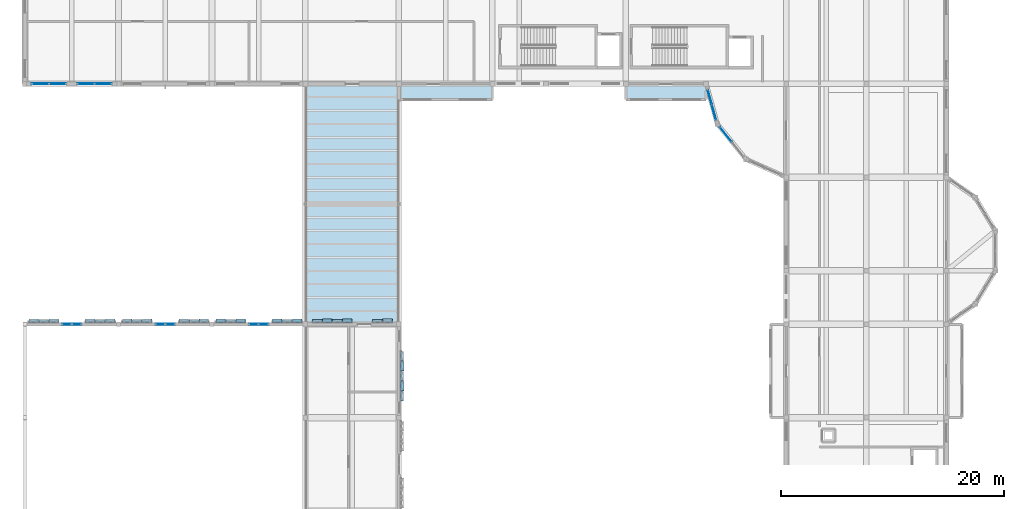
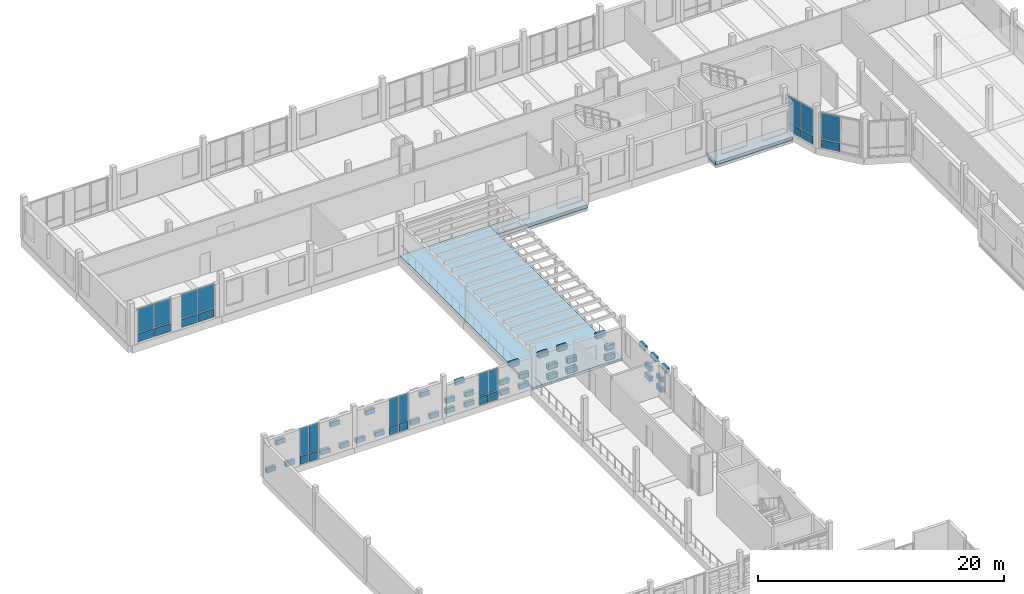
# One storey, part 51 of 99: 64 plates, 3 slabs, 7 elements without a shape of their own.
"""IFC4 building model written with IfcOpenShell, lengths in metres."""

from ifc_helpers import new_model, si_unit, direction, frame, origin, origin_2d, place, context, subcontext, project, spatial, polyline, rectangle, outline, extrude, material, layer, layer_set, type_object, element, aggregate, save


model = new_model("IFC4")

# Units and contexts
model_context = context("Model", 3, precision=1e-05, world=origin(), true_north=direction((0.0, 1.0)))
body_context = subcontext(model_context, "Body", "Model", "MODEL_VIEW")
ifc_project = project(units=[si_unit("LENGTHUNIT", "METRE"), si_unit("AREAUNIT", "SQUARE_METRE"), si_unit("VOLUMEUNIT", "CUBIC_METRE"), si_unit("PLANEANGLEUNIT", "RADIAN"), si_unit("MASSUNIT", "GRAM", prefix="KILO")], contexts=[model_context])

# Site, building, storey
site_placement = place(None, origin())
site = spatial("IfcSite", under=ifc_project, at=site_placement, CompositionType="ELEMENT")
building_placement = place(site_placement, origin())
building = spatial("IfcBuilding", under=site, at=building_placement, Name="Kahlenmark Community Centre", CompositionType="ELEMENT")
storey_placement = place(building_placement, frame((0.0, 0.0, 5.39990234375)))
storey = spatial("IfcBuildingStorey", under=building, at=storey_placement, Name="L01", CompositionType="ELEMENT", Elevation=5.39990234375)

# Curtain wall, plates
ifc_material_1 = material(Name="Anodised aluminium unitised curtain wall", Category="aluminium")
curtain_wall_type_1 = type_object("IfcCurtainWallType", Name="CWT-UNIT-290X352", PredefinedType="USERDEFINED", material=ifc_material_1)
curtain_wall_1_placement = place(storey_placement, origin())
curtain_wall_1 = element("IfcCurtainWall", 1, at=curtain_wall_1_placement, inside=storey, type_object=curtain_wall_type_1, Name="Unitised curtain wall CW-176", ObjectType="UNITISED CURTAIN WALL", PredefinedType="USERDEFINED")
ifc_material_2 = material(Name="Triple low-e solar-control glass unit", Category="glass")
ifc_layer_1 = layer(ifc_material_2, 0.0439453125)
ifc_layer_set_1 = layer_set([ifc_layer_1], Name="Triple low-e solar-control glass unit")
plate_type_1 = type_object("IfcPlateType", Name="PLT-CW-GLZ-1368X2590", PredefinedType="CURTAIN_PANEL", material=ifc_layer_set_1)
plate_1_placement = place(storey_placement, frame((65.527587890625, 96.420654296875, 0.89013671875), z_axis=(0.0, 0.0, 1.0), x_axis=(0.26765376878, -0.963515158188, 0.0)))
plate_1 = element("IfcPlate", 2, at=plate_1_placement, type_object=plate_type_1, Name="CW-176 glazed panel 1", PredefinedType="CURTAIN_PANEL", context=body_context, shape_type="SweptSolid", body=[
    extrude(rectangle(XDim=1.3681640625, YDim=0.0439453125, at=origin_2d()), origin(), (0.0, 0.0, 1.0), 2.590087890625),
])
plate_2_placement = place(storey_placement, frame((65.915283203125, 95.025146484375, 0.89013671875), z_axis=(0.0, 0.0, 1.0), x_axis=(0.26765376878, -0.963515158188, 0.0)))
plate_2 = element("IfcPlate", 3, at=plate_2_placement, type_object=plate_type_1, Name="CW-176 glazed panel 2", PredefinedType="CURTAIN_PANEL", context=body_context, shape_type="SweptSolid", body=[
    extrude(rectangle(XDim=1.3681640625, YDim=0.0439453125, at=origin_2d()), origin(), (0.0, 0.0, 1.0), 2.590087890625),
])

curtain_wall_type_2 = type_object("IfcCurtainWallType", Name="CWT-UNIT-314X331", PredefinedType="USERDEFINED", material=ifc_material_1)
curtain_wall_2_placement = place(storey_placement, origin())
curtain_wall_2 = element("IfcCurtainWall", 4, at=curtain_wall_2_placement, inside=storey, type_object=curtain_wall_type_2, Name="Unitised curtain wall CW-028", ObjectType="UNITISED CURTAIN WALL", PredefinedType="USERDEFINED")
ifc_layer_2 = layer(ifc_material_2, 0.0439453125)
ifc_layer_set_2 = layer_set([ifc_layer_2], Name="Triple low-e solar-control glass unit")
plate_type_2 = type_object("IfcPlateType", Name="PLT-CW-GLZ-1490X2380", PredefinedType="CURTAIN_PANEL", material=ifc_layer_set_2)
plate_3_placement = place(storey_placement, frame((5.364990234375, 97.60009765625, 0.89013671875), z_axis=(0.0, 0.0, 1.0), x_axis=(1.0, 0.0, 0.0)))
plate_3 = element("IfcPlate", 5, at=plate_3_placement, type_object=plate_type_2, Name="CW-028 glazed panel 1", PredefinedType="CURTAIN_PANEL", context=body_context, shape_type="SweptSolid", body=[
    extrude(rectangle(XDim=1.489990234375, YDim=0.0439453125, at=origin_2d()), origin(), (0.0, 0.0, 1.0), 2.3798828125),
])
plate_4_placement = place(storey_placement, frame((6.93505859375, 97.60009765625, 0.89013671875), z_axis=(0.0, 0.0, 1.0), x_axis=(1.0, 0.0, 0.0)))
plate_4 = element("IfcPlate", 6, at=plate_4_placement, type_object=plate_type_2, Name="CW-028 glazed panel 2", PredefinedType="CURTAIN_PANEL", context=body_context, shape_type="SweptSolid", body=[
    extrude(rectangle(XDim=1.489990234375, YDim=0.0439453125, at=origin_2d()), origin(), (0.0, 0.0, 1.0), 2.3798828125),
])

curtain_wall_3_placement = place(storey_placement, origin())
curtain_wall_3 = element("IfcCurtainWall", 7, at=curtain_wall_3_placement, inside=storey, type_object=curtain_wall_type_2, Name="Unitised curtain wall CW-029", ObjectType="UNITISED CURTAIN WALL", PredefinedType="USERDEFINED")
plate_5_placement = place(storey_placement, frame((9.465087890625, 97.60009765625, 0.89013671875), z_axis=(0.0, 0.0, 1.0), x_axis=(1.0, 0.0, 0.0)))
plate_5 = element("IfcPlate", 8, at=plate_5_placement, type_object=plate_type_2, Name="CW-029 glazed panel 1", PredefinedType="CURTAIN_PANEL", context=body_context, shape_type="SweptSolid", body=[
    extrude(rectangle(XDim=1.489990234375, YDim=0.0439453125, at=origin_2d()), origin(), (0.0, 0.0, 1.0), 2.3798828125),
])
plate_6_placement = place(storey_placement, frame((11.034912109375, 97.60009765625, 0.89013671875), z_axis=(0.0, 0.0, 1.0), x_axis=(1.0, 0.0, 0.0)))
plate_6 = element("IfcPlate", 9, at=plate_6_placement, type_object=plate_type_2, Name="CW-029 glazed panel 2", PredefinedType="CURTAIN_PANEL", context=body_context, shape_type="SweptSolid", body=[
    extrude(rectangle(XDim=1.489990234375, YDim=0.0439453125, at=origin_2d()), origin(), (0.0, 0.0, 1.0), 2.3798828125),
])

# Curtain wall, plate
curtain_wall_type_3 = type_object("IfcCurtainWallType", Name="CWT-UNIT-344X352", PredefinedType="USERDEFINED", material=ifc_material_1)
curtain_wall_4_placement = place(storey_placement, origin())
curtain_wall_4 = element("IfcCurtainWall", 10, at=curtain_wall_4_placement, inside=storey, type_object=curtain_wall_type_3, Name="Unitised curtain wall CW-177", ObjectType="UNITISED CURTAIN WALL", PredefinedType="USERDEFINED")
ifc_layer_3 = layer(ifc_material_2, 0.0439453125)
ifc_layer_set_3 = layer_set([ifc_layer_3], Name="Triple low-e solar-control glass unit")
plate_type_3 = type_object("IfcPlateType", Name="PLT-CW-GLZ-1642X2590", PredefinedType="CURTAIN_PANEL", material=ifc_layer_set_3)
plate_7_placement = place(storey_placement, frame((66.957275390625, 93.068115234375, 0.89013671875), z_axis=(0.0, 0.0, 1.0), x_axis=(0.63059860029, -0.776109145231, 0.0)))
plate_7 = element("IfcPlate", 11, at=plate_7_placement, type_object=plate_type_3, Name="CW-177 glazed panel 1", PredefinedType="CURTAIN_PANEL", context=body_context, shape_type="SweptSolid", body=[
    extrude(rectangle(XDim=1.6416015625, YDim=0.0439453125, at=origin_2d()), origin(), (0.0, 0.0, 1.0), 2.590087890625),
])

# Curtain wall, plates
curtain_wall_type_4 = type_object("IfcCurtainWallType", Name="CWT-UNIT-180X315", PredefinedType="USERDEFINED", material=ifc_material_1)
curtain_wall_5_placement = place(storey_placement, origin())
curtain_wall_5 = element("IfcCurtainWall", 12, at=curtain_wall_5_placement, inside=storey, type_object=curtain_wall_type_4, Name="Unitised curtain wall CW-015", ObjectType="UNITISED CURTAIN WALL", PredefinedType="USERDEFINED")
ifc_layer_4 = layer(ifc_material_2, 0.0439453125)
ifc_layer_set_4 = layer_set([ifc_layer_4], Name="Triple low-e solar-control glass unit")
plate_type_4 = type_object("IfcPlateType", Name="PLT-CW-GLZ-820X2220", PredefinedType="CURTAIN_PANEL", material=ifc_layer_set_4)
plate_8_placement = place(storey_placement, frame((25.449951171875, 76.0, 0.89013671875), z_axis=(0.0, 0.0, 1.0), x_axis=(-1.0, 0.0, 0.0)))
plate_8 = element("IfcPlate", 13, at=plate_8_placement, type_object=plate_type_4, Name="CW-015 glazed panel 1", PredefinedType="CURTAIN_PANEL", context=body_context, shape_type="SweptSolid", body=[
    extrude(rectangle(XDim=0.820068359375, YDim=0.0439453125, at=origin_2d()), origin(), (0.0, 0.0, 1.0), 2.219970703125),
])
plate_9_placement = place(storey_placement, frame((24.550048828125, 76.0, 0.89013671875), z_axis=(0.0, 0.0, 1.0), x_axis=(-1.0, 0.0, 0.0)))
plate_9 = element("IfcPlate", 14, at=plate_9_placement, type_object=plate_type_4, Name="CW-015 glazed panel 2", PredefinedType="CURTAIN_PANEL", context=body_context, shape_type="SweptSolid", body=[
    extrude(rectangle(XDim=0.820068359375, YDim=0.0439453125, at=origin_2d()), origin(), (0.0, 0.0, 1.0), 2.219970703125),
])

curtain_wall_type_5 = type_object("IfcCurtainWallType", Name="CWT-UNIT-180X359", PredefinedType="USERDEFINED", material=ifc_material_1)
curtain_wall_6_placement = place(storey_placement, origin())
curtain_wall_6 = element("IfcCurtainWall", 15, at=curtain_wall_6_placement, inside=storey, type_object=curtain_wall_type_5, Name="Unitised curtain wall CW-013", ObjectType="UNITISED CURTAIN WALL", PredefinedType="USERDEFINED")
ifc_layer_5 = layer(ifc_material_2, 0.0439453125)
ifc_layer_set_5 = layer_set([ifc_layer_5], Name="Triple low-e solar-control glass unit")
plate_type_5 = type_object("IfcPlateType", Name="PLT-CW-GLZ-820X2660", PredefinedType="CURTAIN_PANEL", material=ifc_layer_set_5)
plate_10_placement = place(storey_placement, frame((8.64990234375, 76.0, 0.89013671875), z_axis=(0.0, 0.0, 1.0), x_axis=(-1.0, 0.0, 0.0)))
plate_10 = element("IfcPlate", 16, at=plate_10_placement, type_object=plate_type_5, Name="CW-013 glazed panel 1", PredefinedType="CURTAIN_PANEL", context=body_context, shape_type="SweptSolid", body=[
    extrude(rectangle(XDim=0.820068359375, YDim=0.0439453125, at=origin_2d()), origin(), (0.0, 0.0, 1.0), 2.659912109375),
])
plate_11_placement = place(storey_placement, frame((7.75, 76.0, 0.89013671875), z_axis=(0.0, 0.0, 1.0), x_axis=(-1.0, 0.0, 0.0)))
plate_11 = element("IfcPlate", 17, at=plate_11_placement, type_object=plate_type_5, Name="CW-013 glazed panel 2", PredefinedType="CURTAIN_PANEL", context=body_context, shape_type="SweptSolid", body=[
    extrude(rectangle(XDim=0.820068359375, YDim=0.0439453125, at=origin_2d()), origin(), (0.0, 0.0, 1.0), 2.659912109375),
])

curtain_wall_7_placement = place(storey_placement, origin())
curtain_wall_7 = element("IfcCurtainWall", 18, at=curtain_wall_7_placement, inside=storey, type_object=curtain_wall_type_5, Name="Unitised curtain wall CW-014", ObjectType="UNITISED CURTAIN WALL", PredefinedType="USERDEFINED")
plate_12_placement = place(storey_placement, frame((17.050048828125, 76.0, 0.89013671875), z_axis=(0.0, 0.0, 1.0), x_axis=(-1.0, 0.0, 0.0)))
plate_12 = element("IfcPlate", 19, at=plate_12_placement, type_object=plate_type_5, Name="CW-014 glazed panel 1", PredefinedType="CURTAIN_PANEL", context=body_context, shape_type="SweptSolid", body=[
    extrude(rectangle(XDim=0.820068359375, YDim=0.0439453125, at=origin_2d()), origin(), (0.0, 0.0, 1.0), 2.659912109375),
])
plate_13_placement = place(storey_placement, frame((16.14990234375, 76.0, 0.89013671875), z_axis=(0.0, 0.0, 1.0), x_axis=(-1.0, 0.0, 0.0)))
plate_13 = element("IfcPlate", 20, at=plate_13_placement, type_object=plate_type_5, Name="CW-014 glazed panel 2", PredefinedType="CURTAIN_PANEL", context=body_context, shape_type="SweptSolid", body=[
    extrude(rectangle(XDim=0.820068359375, YDim=0.0439453125, at=origin_2d()), origin(), (0.0, 0.0, 1.0), 2.659912109375),
])

# Plate
ifc_material_3 = material(Name="Warm terracotta insulated spandrel cassette", Category="masonry")
ifc_layer_6 = layer(ifc_material_3, 0.06005859375)
ifc_layer_set_6 = layer_set([ifc_layer_6], Name="Warm terracotta insulated spandrel cassette")
plate_type_6 = type_object("IfcPlateType", Name="PLT-CW-SPD-1368X770", PredefinedType="CURTAIN_PANEL", material=ifc_layer_set_6)
plate_14_placement = place(storey_placement, frame((65.527587890625, 96.420654296875, 0.0400390625), z_axis=(0.0, 0.0, 1.0), x_axis=(0.26765376878, -0.963515158188, 0.0)))
plate_14 = element("IfcPlate", 21, at=plate_14_placement, type_object=plate_type_6, Name="CW-176 spandrel 1", PredefinedType="CURTAIN_PANEL", context=body_context, shape_type="SweptSolid", body=[
    extrude(rectangle(XDim=1.3681640625, YDim=0.06005859375, at=origin_2d()), origin(), (0.0, 0.0, 1.0), 0.77001953125),
])

plate_15_placement = place(storey_placement, frame((65.915283203125, 95.025146484375, 0.0400390625), z_axis=(0.0, 0.0, 1.0), x_axis=(0.26765376878, -0.963515158188, 0.0)))
plate_15 = element("IfcPlate", 22, at=plate_15_placement, type_object=plate_type_6, Name="CW-176 spandrel 2", PredefinedType="CURTAIN_PANEL", context=body_context, shape_type="SweptSolid", body=[
    extrude(rectangle(XDim=1.3681640625, YDim=0.06005859375, at=origin_2d()), origin(), (0.0, 0.0, 1.0), 0.77001953125),
])

aggregate(curtain_wall_1, [plate_14, plate_1, plate_15, plate_2])

ifc_layer_7 = layer(ifc_material_3, 0.06005859375)
ifc_layer_set_7 = layer_set([ifc_layer_7], Name="Warm terracotta insulated spandrel cassette")
plate_type_7 = type_object("IfcPlateType", Name="PLT-CW-SPD-1490X770", PredefinedType="CURTAIN_PANEL", material=ifc_layer_set_7)
plate_16_placement = place(storey_placement, frame((5.364990234375, 97.60009765625, 0.0400390625), z_axis=(0.0, 0.0, 1.0), x_axis=(1.0, 0.0, 0.0)))
plate_16 = element("IfcPlate", 23, at=plate_16_placement, type_object=plate_type_7, Name="CW-028 spandrel 1", PredefinedType="CURTAIN_PANEL", context=body_context, shape_type="SweptSolid", body=[
    extrude(rectangle(XDim=1.489990234375, YDim=0.06005859375, at=origin_2d()), origin(), (0.0, 0.0, 1.0), 0.77001953125),
])

plate_17_placement = place(storey_placement, frame((6.93505859375, 97.60009765625, 0.0400390625), z_axis=(0.0, 0.0, 1.0), x_axis=(1.0, 0.0, 0.0)))
plate_17 = element("IfcPlate", 24, at=plate_17_placement, type_object=plate_type_7, Name="CW-028 spandrel 2", PredefinedType="CURTAIN_PANEL", context=body_context, shape_type="SweptSolid", body=[
    extrude(rectangle(XDim=1.489990234375, YDim=0.06005859375, at=origin_2d()), origin(), (0.0, 0.0, 1.0), 0.77001953125),
])

aggregate(curtain_wall_2, [plate_16, plate_3, plate_17, plate_4])

plate_18_placement = place(storey_placement, frame((9.465087890625, 97.60009765625, 0.0400390625), z_axis=(0.0, 0.0, 1.0), x_axis=(1.0, 0.0, 0.0)))
plate_18 = element("IfcPlate", 25, at=plate_18_placement, type_object=plate_type_7, Name="CW-029 spandrel 1", PredefinedType="CURTAIN_PANEL", context=body_context, shape_type="SweptSolid", body=[
    extrude(rectangle(XDim=1.489990234375, YDim=0.06005859375, at=origin_2d()), origin(), (0.0, 0.0, 1.0), 0.77001953125),
])

plate_19_placement = place(storey_placement, frame((11.034912109375, 97.60009765625, 0.0400390625), z_axis=(0.0, 0.0, 1.0), x_axis=(1.0, 0.0, 0.0)))
plate_19 = element("IfcPlate", 26, at=plate_19_placement, type_object=plate_type_7, Name="CW-029 spandrel 2", PredefinedType="CURTAIN_PANEL", context=body_context, shape_type="SweptSolid", body=[
    extrude(rectangle(XDim=1.489990234375, YDim=0.06005859375, at=origin_2d()), origin(), (0.0, 0.0, 1.0), 0.77001953125),
])

aggregate(curtain_wall_3, [plate_18, plate_5, plate_19, plate_6])

ifc_layer_8 = layer(ifc_material_3, 0.06005859375)
ifc_layer_set_8 = layer_set([ifc_layer_8], Name="Warm terracotta insulated spandrel cassette")
plate_type_8 = type_object("IfcPlateType", Name="PLT-CW-SPD-1642X770", PredefinedType="CURTAIN_PANEL", material=ifc_layer_set_8)
plate_20_placement = place(storey_placement, frame((66.957275390625, 93.068115234375, 0.0400390625), z_axis=(0.0, 0.0, 1.0), x_axis=(0.63059860029, -0.776109145231, 0.0)))
plate_20 = element("IfcPlate", 27, at=plate_20_placement, type_object=plate_type_8, Name="CW-177 spandrel 1", PredefinedType="CURTAIN_PANEL", context=body_context, shape_type="SweptSolid", body=[
    extrude(rectangle(XDim=1.6416015625, YDim=0.06005859375, at=origin_2d()), origin(), (0.0, 0.0, 1.0), 0.77001953125),
])

aggregate(curtain_wall_4, [plate_20, plate_7])

ifc_layer_9 = layer(ifc_material_3, 0.06005859375)
ifc_layer_set_9 = layer_set([ifc_layer_9], Name="Warm terracotta insulated spandrel cassette")
plate_type_9 = type_object("IfcPlateType", Name="PLT-CW-SPD-820X770", PredefinedType="CURTAIN_PANEL", material=ifc_layer_set_9)
plate_21_placement = place(storey_placement, frame((8.64990234375, 76.0, 0.0400390625), z_axis=(0.0, 0.0, 1.0), x_axis=(-1.0, 0.0, 0.0)))
plate_21 = element("IfcPlate", 28, at=plate_21_placement, type_object=plate_type_9, Name="CW-013 spandrel 1", PredefinedType="CURTAIN_PANEL", context=body_context, shape_type="SweptSolid", body=[
    extrude(rectangle(XDim=0.820068359375, YDim=0.06005859375, at=origin_2d()), origin(), (0.0, 0.0, 1.0), 0.77001953125),
])

plate_22_placement = place(storey_placement, frame((7.75, 76.0, 0.0400390625), z_axis=(0.0, 0.0, 1.0), x_axis=(-1.0, 0.0, 0.0)))
plate_22 = element("IfcPlate", 29, at=plate_22_placement, type_object=plate_type_9, Name="CW-013 spandrel 2", PredefinedType="CURTAIN_PANEL", context=body_context, shape_type="SweptSolid", body=[
    extrude(rectangle(XDim=0.820068359375, YDim=0.06005859375, at=origin_2d()), origin(), (0.0, 0.0, 1.0), 0.77001953125),
])

aggregate(curtain_wall_6, [plate_21, plate_10, plate_22, plate_11])

plate_23_placement = place(storey_placement, frame((17.050048828125, 76.0, 0.0400390625), z_axis=(0.0, 0.0, 1.0), x_axis=(-1.0, 0.0, 0.0)))
plate_23 = element("IfcPlate", 30, at=plate_23_placement, type_object=plate_type_9, Name="CW-014 spandrel 1", PredefinedType="CURTAIN_PANEL", context=body_context, shape_type="SweptSolid", body=[
    extrude(rectangle(XDim=0.820068359375, YDim=0.06005859375, at=origin_2d()), origin(), (0.0, 0.0, 1.0), 0.77001953125),
])

plate_24_placement = place(storey_placement, frame((16.14990234375, 76.0, 0.0400390625), z_axis=(0.0, 0.0, 1.0), x_axis=(-1.0, 0.0, 0.0)))
plate_24 = element("IfcPlate", 31, at=plate_24_placement, type_object=plate_type_9, Name="CW-014 spandrel 2", PredefinedType="CURTAIN_PANEL", context=body_context, shape_type="SweptSolid", body=[
    extrude(rectangle(XDim=0.820068359375, YDim=0.06005859375, at=origin_2d()), origin(), (0.0, 0.0, 1.0), 0.77001953125),
])

aggregate(curtain_wall_7, [plate_23, plate_12, plate_24, plate_13])

plate_25_placement = place(storey_placement, frame((25.449951171875, 76.0, 0.0400390625), z_axis=(0.0, 0.0, 1.0), x_axis=(-1.0, 0.0, 0.0)))
plate_25 = element("IfcPlate", 32, at=plate_25_placement, type_object=plate_type_9, Name="CW-015 spandrel 1", PredefinedType="CURTAIN_PANEL", context=body_context, shape_type="SweptSolid", body=[
    extrude(rectangle(XDim=0.820068359375, YDim=0.06005859375, at=origin_2d()), origin(), (0.0, 0.0, 1.0), 0.77001953125),
])

plate_26_placement = place(storey_placement, frame((24.550048828125, 76.0, 0.0400390625), z_axis=(0.0, 0.0, 1.0), x_axis=(-1.0, 0.0, 0.0)))
plate_26 = element("IfcPlate", 33, at=plate_26_placement, type_object=plate_type_9, Name="CW-015 spandrel 2", PredefinedType="CURTAIN_PANEL", context=body_context, shape_type="SweptSolid", body=[
    extrude(rectangle(XDim=0.820068359375, YDim=0.06005859375, at=origin_2d()), origin(), (0.0, 0.0, 1.0), 0.77001953125),
])

aggregate(curtain_wall_5, [plate_25, plate_8, plate_26, plate_9])

# Plates
ifc_material_4 = material(Name="Extruded glazed terracotta weave cassette", Category="masonry")
ifc_layer_10 = layer(ifc_material_4, 0.300048828125)
ifc_layer_set_10 = layer_set([ifc_layer_10], Name="Extruded glazed terracotta weave cassette")
plate_type_10 = type_object("IfcPlateType", Name="PLT-TC-TC-R34-840X300X458", PredefinedType="SHEET", material=ifc_layer_set_10)
for number, where, z_axis, x_axis, name in (
    (34, (28.469970703125, 76.300048828125, 1.09619140625), (0.0, 0.0, 1.0), (-1.0, 0.0, 0.0), "Basketweave terracotta cassette 0727"),
    (35, (26.669921875, 76.300048828125, 1.09619140625), (0.0, 0.0, 1.0), (-1.0, 0.0, 0.0), "Basketweave terracotta cassette 0739"),
    (36, (23.3701171875, 76.300048828125, 1.09619140625), (0.0, 0.0, 1.0), (-1.0, 0.0, 0.0), "Basketweave terracotta cassette 0745"),
    (37, (21.570068359375, 76.300048828125, 1.09619140625), (0.0, 0.0, 1.0), (-1.0, 0.0, 0.0), "Basketweave terracotta cassette 0757"),
    (38, (36.570068359375, 76.300048828125, 1.09619140625), (0.0, 0.0, 1.0), (-1.0, 0.0, 0.0), "Basketweave terracotta cassette 0763"),
    (39, (32.969970703125, 76.300048828125, 1.09619140625), (0.0, 0.0, 1.0), (-1.0, 0.0, 0.0), "Basketweave terracotta cassette 0775"),
    (40, (31.169921875, 76.300048828125, 1.09619140625), (0.0, 0.0, 1.0), (-1.0, 0.0, 0.0), "Basketweave terracotta cassette 0787"),
    (41, (37.89990234375, 70.429931640625, 1.09619140625), (0.0, 0.0, 1.0), (0.0, 1.0, 0.0), "Basketweave terracotta cassette 0913"),
    (42, (37.89990234375, 72.22998046875, 1.09619140625), (0.0, 0.0, 1.0), (0.0, 1.0, 0.0), "Basketweave terracotta cassette 0925"),
):
    element("IfcPlate", number, at=place(storey_placement, frame(where, z_axis=z_axis, x_axis=x_axis)), inside=storey, type_object=plate_type_10, Name=name, PredefinedType="SHEET", context=body_context, shape_type="SweptSolid", body=[
        extrude(rectangle(XDim=0.840087890625, YDim=0.300048828125, at=origin_2d()), origin(), (0.0, 0.0, 1.0), 0.4580078125),
    ])
ifc_layer_11 = layer(ifc_material_4, 0.300048828125)
ifc_layer_set_11 = layer_set([ifc_layer_11], Name="Extruded glazed terracotta weave cassette")
plate_type_11 = type_object("IfcPlateType", Name="PLT-TC-TC-R34-860X300X450", PredefinedType="SHEET", material=ifc_layer_set_11)
for number, where, z_axis, x_axis, name in (
    (43, (11.669921875, 76.300048828125, 0.10009765625), (0.0, 0.0, 1.0), (-1.0, 0.0, 0.0), "Basketweave terracotta cassette 0641"),
    (44, (9.8701171875, 76.300048828125, 0.10009765625), (0.0, 0.0, 1.0), (-1.0, 0.0, 0.0), "Basketweave terracotta cassette 0655"),
    (45, (6.570068359375, 76.300048828125, 0.10009765625), (0.0, 0.0, 1.0), (-1.0, 0.0, 0.0), "Basketweave terracotta cassette 0662"),
    (46, (4.77001953125, 76.300048828125, 0.10009765625), (0.0, 0.0, 1.0), (-1.0, 0.0, 0.0), "Basketweave terracotta cassette 0676"),
    (47, (20.070068359375, 76.300048828125, 0.10009765625), (0.0, 0.0, 1.0), (-1.0, 0.0, 0.0), "Basketweave terracotta cassette 0683"),
    (48, (18.27001953125, 76.300048828125, 0.10009765625), (0.0, 0.0, 1.0), (-1.0, 0.0, 0.0), "Basketweave terracotta cassette 0697"),
    (49, (14.969970703125, 76.300048828125, 0.10009765625), (0.0, 0.0, 1.0), (-1.0, 0.0, 0.0), "Basketweave terracotta cassette 0704"),
    (50, (13.169921875, 76.300048828125, 0.10009765625), (0.0, 0.0, 1.0), (-1.0, 0.0, 0.0), "Basketweave terracotta cassette 0718"),
):
    element("IfcPlate", number, at=place(storey_placement, frame(where, z_axis=z_axis, x_axis=x_axis)), inside=storey, type_object=plate_type_11, Name=name, PredefinedType="SHEET", context=body_context, shape_type="SweptSolid", body=[
        extrude(rectangle(XDim=0.860107421875, YDim=0.300048828125, at=origin_2d()), origin(), (0.0, 0.0, 1.0), 0.449951171875),
    ])
ifc_layer_12 = layer(ifc_material_4, 0.300048828125)
ifc_layer_set_12 = layer_set([ifc_layer_12], Name="Extruded glazed terracotta weave cassette")
plate_type_12 = type_object("IfcPlateType", Name="PLT-TC-TC-R34-860X300X458", PredefinedType="SHEET", material=ifc_layer_set_12)
for number, where, z_axis, x_axis, name in (
    (51, (28.469970703125, 76.300048828125, 0.10009765625), (0.0, 0.0, 1.0), (-1.0, 0.0, 0.0), "Basketweave terracotta cassette 0725"),
    (52, (26.669921875, 76.300048828125, 0.10009765625), (0.0, 0.0, 1.0), (-1.0, 0.0, 0.0), "Basketweave terracotta cassette 0737"),
    (53, (23.3701171875, 76.300048828125, 0.10009765625), (0.0, 0.0, 1.0), (-1.0, 0.0, 0.0), "Basketweave terracotta cassette 0743"),
    (54, (21.570068359375, 76.300048828125, 0.10009765625), (0.0, 0.0, 1.0), (-1.0, 0.0, 0.0), "Basketweave terracotta cassette 0755"),
    (55, (36.570068359375, 76.300048828125, 0.10009765625), (0.0, 0.0, 1.0), (-1.0, 0.0, 0.0), "Basketweave terracotta cassette 0761"),
    (56, (32.969970703125, 76.300048828125, 0.10009765625), (0.0, 0.0, 1.0), (-1.0, 0.0, 0.0), "Basketweave terracotta cassette 0773"),
    (57, (31.169921875, 76.300048828125, 0.10009765625), (0.0, 0.0, 1.0), (-1.0, 0.0, 0.0), "Basketweave terracotta cassette 0785"),
    (58, (37.89990234375, 70.429931640625, 0.10009765625), (0.0, 0.0, 1.0), (0.0, 1.0, 0.0), "Basketweave terracotta cassette 0911"),
    (59, (37.89990234375, 72.22998046875, 0.10009765625), (0.0, 0.0, 1.0), (0.0, 1.0, 0.0), "Basketweave terracotta cassette 0923"),
):
    element("IfcPlate", number, at=place(storey_placement, frame(where, z_axis=z_axis, x_axis=x_axis)), inside=storey, type_object=plate_type_12, Name=name, PredefinedType="SHEET", context=body_context, shape_type="SweptSolid", body=[
        extrude(rectangle(XDim=0.860107421875, YDim=0.300048828125, at=origin_2d()), origin(), (0.0, 0.0, 1.0), 0.4580078125),
    ])
ifc_layer_13 = layer(ifc_material_4, 0.280029296875)
ifc_layer_set_13 = layer_set([ifc_layer_13], Name="Extruded glazed terracotta weave cassette")
plate_type_13 = type_object("IfcPlateType", Name="PLT-TC-TC-W30-860X280X450", PredefinedType="SHEET", material=ifc_layer_set_13)
for number, where, z_axis, x_axis, name in (
    (60, (10.77001953125, 76.2900390625, 2.55029296875), (0.0, 0.0, 1.0), (-1.0, 0.0, 0.0), "Basketweave terracotta cassette 0653"),
    (61, (5.669921875, 76.2900390625, 2.55029296875), (0.0, 0.0, 1.0), (-1.0, 0.0, 0.0), "Basketweave terracotta cassette 0674"),
    (62, (19.169921875, 76.2900390625, 2.55029296875), (0.0, 0.0, 1.0), (-1.0, 0.0, 0.0), "Basketweave terracotta cassette 0695"),
    (63, (14.070068359375, 76.2900390625, 2.55029296875), (0.0, 0.0, 1.0), (-1.0, 0.0, 0.0), "Basketweave terracotta cassette 0716"),
):
    element("IfcPlate", number, at=place(storey_placement, frame(where, z_axis=z_axis, x_axis=x_axis)), inside=storey, type_object=plate_type_13, Name=name, PredefinedType="SHEET", context=body_context, shape_type="SweptSolid", body=[
        extrude(rectangle(XDim=0.860107421875, YDim=0.280029296875, at=origin_2d()), origin(), (0.0, 0.0, 1.0), 0.449951171875),
    ])
ifc_layer_14 = layer(ifc_material_4, 0.280029296875)
ifc_layer_set_14 = layer_set([ifc_layer_14], Name="Extruded glazed terracotta weave cassette")
plate_type_14 = type_object("IfcPlateType", Name="PLT-TC-TC-W30-860X280X458", PredefinedType="SHEET", material=ifc_layer_set_14)
for number, where, z_axis, x_axis, name in (
    (64, (27.570068359375, 76.2900390625, 2.590087890625), (0.0, 0.0, 1.0), (-1.0, 0.0, 0.0), "Basketweave terracotta cassette 0736"),
    (65, (22.469970703125, 76.2900390625, 2.590087890625), (0.0, 0.0, 1.0), (-1.0, 0.0, 0.0), "Basketweave terracotta cassette 0754"),
    (66, (35.669921875, 76.2900390625, 2.590087890625), (0.0, 0.0, 1.0), (-1.0, 0.0, 0.0), "Basketweave terracotta cassette 0772"),
    (67, (32.070068359375, 76.2900390625, 2.590087890625), (0.0, 0.0, 1.0), (-1.0, 0.0, 0.0), "Basketweave terracotta cassette 0784"),
    (68, (30.27001953125, 76.2900390625, 2.590087890625), (0.0, 0.0, 1.0), (-1.0, 0.0, 0.0), "Basketweave terracotta cassette 0796"),
    (69, (37.889892578125, 69.530029296875, 2.590087890625), (0.0, 0.0, 1.0), (0.0, 1.0, 0.0), "Basketweave terracotta cassette 0910"),
    (70, (37.889892578125, 71.330078125, 2.590087890625), (0.0, 0.0, 1.0), (0.0, 1.0, 0.0), "Basketweave terracotta cassette 0922"),
    (71, (37.889892578125, 73.1298828125, 2.590087890625), (0.0, 0.0, 1.0), (0.0, 1.0, 0.0), "Basketweave terracotta cassette 0934"),
):
    element("IfcPlate", number, at=place(storey_placement, frame(where, z_axis=z_axis, x_axis=x_axis)), inside=storey, type_object=plate_type_14, Name=name, PredefinedType="SHEET", context=body_context, shape_type="SweptSolid", body=[
        extrude(rectangle(XDim=0.860107421875, YDim=0.280029296875, at=origin_2d()), origin(), (0.0, 0.0, 1.0), 0.4580078125),
    ])

# Slabs
ifc_material_5 = material(Name="Concrete C35/45", Category="concrete")
ifc_layer_15 = layer(ifc_material_5, 0.320068359375)
ifc_layer_set_15 = layer_set([ifc_layer_15], Name="Concrete C35/45")
slab_type_1 = type_object("IfcSlabType", Name="ST-FL-RC320", PredefinedType="FLOOR", material=ifc_layer_set_15)
slab_1_placement = place(storey_placement, frame((0.0, 0.0, -0.31982421875)))
element("IfcSlab", 72, at=slab_1_placement, inside=storey, type_object=slab_type_1, Name="L01 reading-room bay oriel ORI-S1", PredefinedType="FLOOR", context=body_context, shape_type="SweptSolid", body=[
    extrude(outline(polyline([(37.60009765625, 96.199951171875), (46.0, 96.199951171875), (46.0, 97.60009765625), (37.60009765625, 97.60009765625), (37.60009765625, 96.199951171875)])), origin(), (0.0, 0.0, 1.0), 0.31982421875),
])
slab_2_placement = place(storey_placement, frame((0.0, 0.0, -0.31982421875)))
element("IfcSlab", 73, at=slab_2_placement, inside=storey, type_object=slab_type_1, Name="L01 reading-room bay oriel ORI-S2", PredefinedType="FLOOR", context=body_context, shape_type="SweptSolid", body=[
    extrude(outline(polyline([(58.0, 96.199951171875), (65.199951171875, 96.199951171875), (65.199951171875, 97.60009765625), (58.0, 97.60009765625), (58.0, 96.199951171875)])), origin(), (0.0, 0.0, 1.0), 0.31982421875),
])
ifc_layer_16 = layer(ifc_material_5, 0.260009765625)
ifc_layer_set_16 = layer_set([ifc_layer_16], Name="Concrete C35/45")
slab_type_2 = type_object("IfcSlabType", Name="ST-TER-RC260", PredefinedType="FLOOR", material=ifc_layer_set_16)
slab_3_placement = place(storey_placement, frame((0.0, 0.0, -0.260009765625)))
element("IfcSlab", 74, at=slab_3_placement, inside=storey, type_object=slab_type_2, Name="Podium outdoor terrace TER-L01-NORTH-GAP", PredefinedType="FLOOR", context=body_context, shape_type="SweptSolid", body=[
    extrude(outline(polyline([(29.199951171875, 76.0), (37.60009765625, 76.0), (37.60009765625, 97.60009765625), (29.199951171875, 97.60009765625), (29.199951171875, 76.0)])), origin(), (0.0, 0.0, 1.0), 0.260009765625),
])

save(model, "model.ifc")
